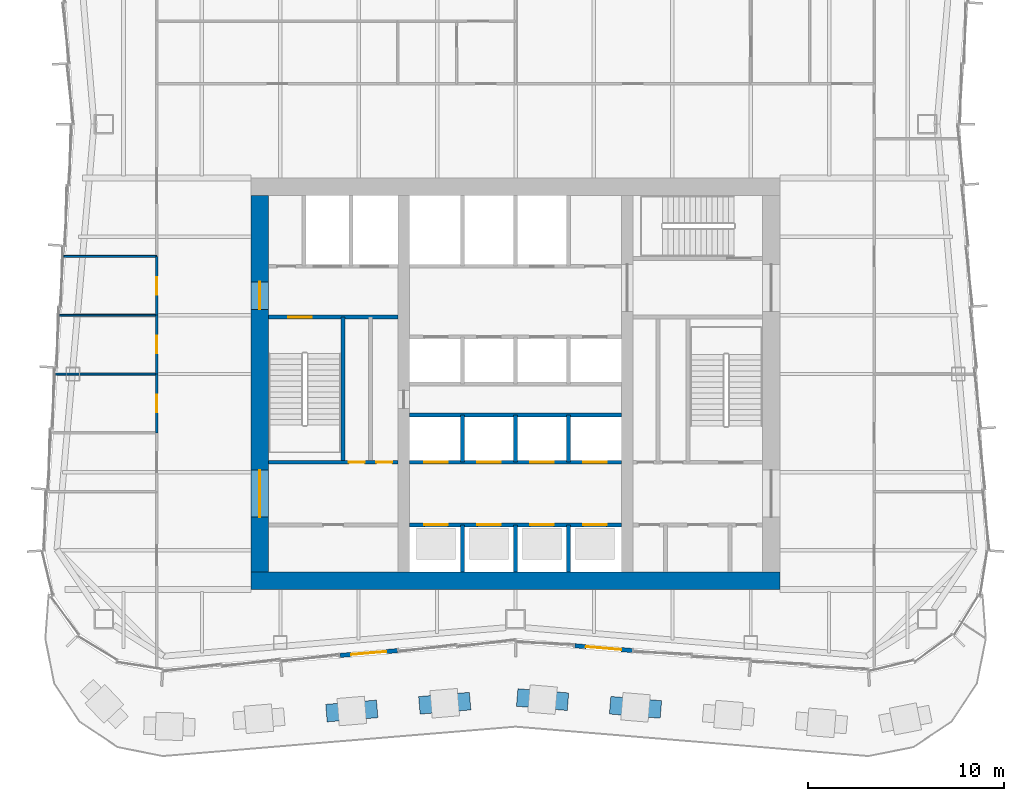
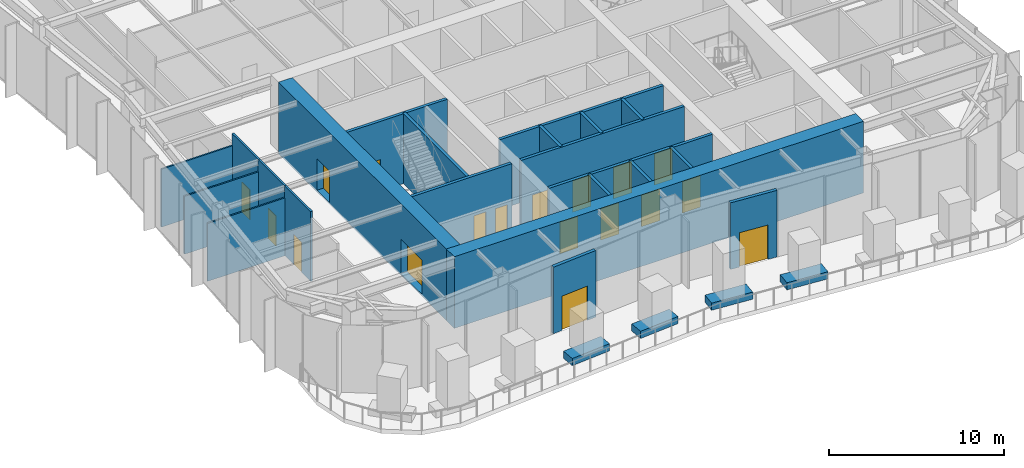
# One storey, part 9 of 16: 26 walls, 18 doors, 18 openings.
"""IFC4 building model written with IfcOpenShell, lengths in metres."""

from ifc_helpers import new_model, si_unit, direction, frame, frame_2d, origin, place, context, subcontext, project, spatial, rectangle, extrude, material, layer, layer_set, type_object, element, fill, save


model = new_model("IFC4")

# Units and contexts
model_context = context("Model", 3, precision=1e-05, world=origin(), true_north=direction((0.0, 1.0)))
body_context = subcontext(model_context, "Body", "Model", "MODEL_VIEW")
ifc_project = project(units=[si_unit("LENGTHUNIT", "METRE"), si_unit("AREAUNIT", "SQUARE_METRE"), si_unit("VOLUMEUNIT", "CUBIC_METRE"), si_unit("PLANEANGLEUNIT", "RADIAN"), si_unit("MASSUNIT", "GRAM", prefix="KILO")], contexts=[model_context])

# Site, building, storey
site_placement = place(None, origin())
site = spatial("IfcSite", under=ifc_project, at=site_placement, CompositionType="ELEMENT")
building_placement = place(site_placement, origin())
building = spatial("IfcBuilding", under=site, at=building_placement, Name="Verdant Reach Tower", CompositionType="ELEMENT")
storey_placement = place(building_placement, frame((0.0, 0.0, 177.0)))
storey = spatial("IfcBuildingStorey", under=building, at=storey_placement, Name="L40", CompositionType="ELEMENT", Elevation=177.0)

# Wall, openings, doors
ifc_material_1 = material(Name="Concrete C40/50", Category="concrete")
ifc_layer_1 = layer(ifc_material_1, 0.199951171875)
ifc_layer_set_1 = layer_set([ifc_layer_1], Name="CO-WALL-SHAFT")
wall_type_1 = type_object("IfcWallType", Name="CO-WALL-SHAFT", PredefinedType="PARTITIONING", material=ifc_layer_set_1)
wall_1_placement = place(storey_placement, frame((-5.39990234375, 20.800048828125, 0.0), z_axis=(0.0, 0.0, 1.0), x_axis=(1.0, 0.0, 0.0)))
wall_1 = element("IfcWall", 1, at=wall_1_placement, inside=storey, type_object=wall_type_1, Name="Lift shaft wall, L40", PredefinedType="PARTITIONING", context=body_context, shape_type="SweptSolid", body=[
    extrude(rectangle(XDim=10.7998046875, YDim=0.199951171875, at=frame_2d((5.39990234375, 0.0))), origin(), (0.0, 0.0, 1.0), 4.8701171875),
])
opening_1_placement = place(wall_1_placement, frame((0.75, 0.0, 0.0)))
opening_1 = element("IfcOpeningElement", 2, at=opening_1_placement, cuts=wall_1, Name="Opening LD-B1", PredefinedType="OPENING", context=body_context, shape_type="SweptSolid", body=[
    extrude(rectangle(XDim=1.199951171875, YDim=2.199951171875, at=frame_2d((0.60009765625, 1.10009765625))), frame((0.0, 0.10986328125, 0.0), z_axis=(0.0, -1.0, 0.0), x_axis=(1.0, 0.0, 0.0)), (0.0, 0.0, 1.0), 0.219970703125),
])
opening_2_placement = place(wall_1_placement, frame((3.449951171875, 0.0, 0.0)))
opening_2 = element("IfcOpeningElement", 3, at=opening_2_placement, cuts=wall_1, Name="Opening LD-B2", PredefinedType="OPENING", context=body_context, shape_type="SweptSolid", body=[
    extrude(rectangle(XDim=1.199951171875, YDim=2.199951171875, at=frame_2d((0.60009765625, 1.10009765625))), frame((0.0, 0.10986328125, 0.0), z_axis=(0.0, -1.0, 0.0), x_axis=(1.0, 0.0, 0.0)), (0.0, 0.0, 1.0), 0.219970703125),
])
opening_3_placement = place(wall_1_placement, frame((6.14990234375, 0.0, 0.0)))
opening_3 = element("IfcOpeningElement", 4, at=opening_3_placement, cuts=wall_1, Name="Opening LD-B3", PredefinedType="OPENING", context=body_context, shape_type="SweptSolid", body=[
    extrude(rectangle(XDim=1.199951171875, YDim=2.199951171875, at=frame_2d((0.60009765625, 1.10009765625))), frame((0.0, 0.10986328125, 0.0), z_axis=(0.0, -1.0, 0.0), x_axis=(1.0, 0.0, 0.0)), (0.0, 0.0, 1.0), 0.219970703125),
])
opening_4_placement = place(wall_1_placement, frame((8.85009765625, 0.0, 0.0)))
opening_4 = element("IfcOpeningElement", 5, at=opening_4_placement, cuts=wall_1, Name="Opening LD-B4", PredefinedType="OPENING", context=body_context, shape_type="SweptSolid", body=[
    extrude(rectangle(XDim=1.199951171875, YDim=2.199951171875, at=frame_2d((0.60009765625, 1.10009765625))), frame((0.0, 0.10986328125, 0.0), z_axis=(0.0, -1.0, 0.0), x_axis=(1.0, 0.0, 0.0)), (0.0, 0.0, 1.0), 0.219970703125),
])
ifc_material_2 = material(Name="Stainless steel", Category="steel")
door_type_1 = type_object("IfcDoorType", Name="CO-DOOR-LANDING", OperationType="SLIDING_TO_LEFT", PredefinedType="DOOR", material=ifc_material_2)
door_1_placement = place(opening_1_placement, origin())
door_1 = element("IfcDoor", 6, at=door_1_placement, inside=storey, type_object=door_type_1, Name="Landing door B1, L40", OperationType="SLIDING_TO_LEFT", OverallHeight=2.199951171875, OverallWidth=1.199951171875, PredefinedType="DOOR", context=body_context, shape_type="SweptSolid", body=[
    extrude(rectangle(XDim=1.199951171875, YDim=2.199951171875, at=frame_2d((0.60009765625, 1.10009765625))), frame((0.0, 0.02490234375, 0.0), z_axis=(0.0, -1.0, 0.0), x_axis=(1.0, 0.0, 0.0)), (0.0, 0.0, 1.0), 0.050048828125),
])
fill(opening_1, door_1)
door_2_placement = place(opening_2_placement, origin())
door_2 = element("IfcDoor", 7, at=door_2_placement, inside=storey, type_object=door_type_1, Name="Landing door B2, L40", OperationType="SLIDING_TO_LEFT", OverallHeight=2.199951171875, OverallWidth=1.199951171875, PredefinedType="DOOR", context=body_context, shape_type="SweptSolid", body=[
    extrude(rectangle(XDim=1.199951171875, YDim=2.199951171875, at=frame_2d((0.60009765625, 1.10009765625))), frame((0.0, 0.02490234375, 0.0), z_axis=(0.0, -1.0, 0.0), x_axis=(1.0, 0.0, 0.0)), (0.0, 0.0, 1.0), 0.050048828125),
])
fill(opening_2, door_2)
door_3_placement = place(opening_3_placement, origin())
door_3 = element("IfcDoor", 8, at=door_3_placement, inside=storey, type_object=door_type_1, Name="Landing door B3, L40", OperationType="SLIDING_TO_LEFT", OverallHeight=2.199951171875, OverallWidth=1.199951171875, PredefinedType="DOOR", context=body_context, shape_type="SweptSolid", body=[
    extrude(rectangle(XDim=1.199951171875, YDim=2.199951171875, at=frame_2d((0.60009765625, 1.10009765625))), frame((0.0, 0.02490234375, 0.0), z_axis=(0.0, -1.0, 0.0), x_axis=(1.0, 0.0, 0.0)), (0.0, 0.0, 1.0), 0.050048828125),
])
fill(opening_3, door_3)
door_4_placement = place(opening_4_placement, origin())
door_4 = element("IfcDoor", 9, at=door_4_placement, inside=storey, type_object=door_type_1, Name="Landing door B4, L40", OperationType="SLIDING_TO_LEFT", OverallHeight=2.199951171875, OverallWidth=1.199951171875, PredefinedType="DOOR", context=body_context, shape_type="SweptSolid", body=[
    extrude(rectangle(XDim=1.199951171875, YDim=2.199951171875, at=frame_2d((0.60009765625, 1.10009765625))), frame((0.0, 0.02490234375, 0.0), z_axis=(0.0, -1.0, 0.0), x_axis=(1.0, 0.0, 0.0)), (0.0, 0.0, 1.0), 0.050048828125),
])
fill(opening_4, door_4)

wall_2_placement = place(storey_placement, frame((-5.39990234375, 24.0, 0.0), z_axis=(0.0, 0.0, 1.0), x_axis=(1.0, 0.0, 0.0)))
wall_2 = element("IfcWall", 10, at=wall_2_placement, inside=storey, type_object=wall_type_1, Name="Lift shaft wall, L40", PredefinedType="PARTITIONING", context=body_context, shape_type="SweptSolid", body=[
    extrude(rectangle(XDim=10.7998046875, YDim=0.199951171875, at=frame_2d((5.39990234375, 0.0))), origin(), (0.0, 0.0, 1.0), 4.8701171875),
])
opening_5_placement = place(wall_2_placement, frame((0.75, 0.0, 0.0)))
opening_5 = element("IfcOpeningElement", 11, at=opening_5_placement, cuts=wall_2, Name="Opening LD-A5", PredefinedType="OPENING", context=body_context, shape_type="SweptSolid", body=[
    extrude(rectangle(XDim=1.199951171875, YDim=2.199951171875, at=frame_2d((0.60009765625, 1.10009765625))), frame((0.0, 0.10986328125, 0.0), z_axis=(0.0, -1.0, 0.0), x_axis=(1.0, 0.0, 0.0)), (0.0, 0.0, 1.0), 0.219970703125),
])
opening_6_placement = place(wall_2_placement, frame((3.449951171875, 0.0, 0.0)))
opening_6 = element("IfcOpeningElement", 12, at=opening_6_placement, cuts=wall_2, Name="Opening LD-A6", PredefinedType="OPENING", context=body_context, shape_type="SweptSolid", body=[
    extrude(rectangle(XDim=1.199951171875, YDim=2.199951171875, at=frame_2d((0.60009765625, 1.10009765625))), frame((0.0, 0.10986328125, 0.0), z_axis=(0.0, -1.0, 0.0), x_axis=(1.0, 0.0, 0.0)), (0.0, 0.0, 1.0), 0.219970703125),
])
opening_7_placement = place(wall_2_placement, frame((6.14990234375, 0.0, 0.0)))
opening_7 = element("IfcOpeningElement", 13, at=opening_7_placement, cuts=wall_2, Name="Opening LD-A7", PredefinedType="OPENING", context=body_context, shape_type="SweptSolid", body=[
    extrude(rectangle(XDim=1.199951171875, YDim=2.199951171875, at=frame_2d((0.60009765625, 1.10009765625))), frame((0.0, 0.10986328125, 0.0), z_axis=(0.0, -1.0, 0.0), x_axis=(1.0, 0.0, 0.0)), (0.0, 0.0, 1.0), 0.219970703125),
])
opening_8_placement = place(wall_2_placement, frame((8.85009765625, 0.0, 0.0)))
opening_8 = element("IfcOpeningElement", 14, at=opening_8_placement, cuts=wall_2, Name="Opening LD-A8", PredefinedType="OPENING", context=body_context, shape_type="SweptSolid", body=[
    extrude(rectangle(XDim=1.199951171875, YDim=2.199951171875, at=frame_2d((0.60009765625, 1.10009765625))), frame((0.0, 0.10986328125, 0.0), z_axis=(0.0, -1.0, 0.0), x_axis=(1.0, 0.0, 0.0)), (0.0, 0.0, 1.0), 0.219970703125),
])
door_5_placement = place(opening_5_placement, origin())
door_5 = element("IfcDoor", 15, at=door_5_placement, inside=storey, type_object=door_type_1, Name="Landing door A5, L40", OperationType="SLIDING_TO_LEFT", OverallHeight=2.199951171875, OverallWidth=1.199951171875, PredefinedType="DOOR", context=body_context, shape_type="SweptSolid", body=[
    extrude(rectangle(XDim=1.199951171875, YDim=2.199951171875, at=frame_2d((0.60009765625, 1.10009765625))), frame((0.0, 0.02490234375, 0.0), z_axis=(0.0, -1.0, 0.0), x_axis=(1.0, 0.0, 0.0)), (0.0, 0.0, 1.0), 0.050048828125),
])
fill(opening_5, door_5)
door_6_placement = place(opening_6_placement, origin())
door_6 = element("IfcDoor", 16, at=door_6_placement, inside=storey, type_object=door_type_1, Name="Landing door A6, L40", OperationType="SLIDING_TO_LEFT", OverallHeight=2.199951171875, OverallWidth=1.199951171875, PredefinedType="DOOR", context=body_context, shape_type="SweptSolid", body=[
    extrude(rectangle(XDim=1.199951171875, YDim=2.199951171875, at=frame_2d((0.60009765625, 1.10009765625))), frame((0.0, 0.02490234375, 0.0), z_axis=(0.0, -1.0, 0.0), x_axis=(1.0, 0.0, 0.0)), (0.0, 0.0, 1.0), 0.050048828125),
])
fill(opening_6, door_6)
door_7_placement = place(opening_7_placement, origin())
door_7 = element("IfcDoor", 17, at=door_7_placement, inside=storey, type_object=door_type_1, Name="Landing door A7, L40", OperationType="SLIDING_TO_LEFT", OverallHeight=2.199951171875, OverallWidth=1.199951171875, PredefinedType="DOOR", context=body_context, shape_type="SweptSolid", body=[
    extrude(rectangle(XDim=1.199951171875, YDim=2.199951171875, at=frame_2d((0.60009765625, 1.10009765625))), frame((0.0, 0.02490234375, 0.0), z_axis=(0.0, -1.0, 0.0), x_axis=(1.0, 0.0, 0.0)), (0.0, 0.0, 1.0), 0.050048828125),
])
fill(opening_7, door_7)
door_8_placement = place(opening_8_placement, origin())
door_8 = element("IfcDoor", 18, at=door_8_placement, inside=storey, type_object=door_type_1, Name="Landing door A8, L40", OperationType="SLIDING_TO_LEFT", OverallHeight=2.199951171875, OverallWidth=1.199951171875, PredefinedType="DOOR", context=body_context, shape_type="SweptSolid", body=[
    extrude(rectangle(XDim=1.199951171875, YDim=2.199951171875, at=frame_2d((0.60009765625, 1.10009765625))), frame((0.0, 0.02490234375, 0.0), z_axis=(0.0, -1.0, 0.0), x_axis=(1.0, 0.0, 0.0)), (0.0, 0.0, 1.0), 0.050048828125),
])
fill(opening_8, door_8)

# Walls
wall_3_placement = place(storey_placement, frame((-5.39990234375, 26.39990234375, 0.0), z_axis=(0.0, 0.0, 1.0), x_axis=(1.0, 0.0, 0.0)))
element("IfcWall", 19, at=wall_3_placement, inside=storey, type_object=wall_type_1, Name="Lift shaft wall, L40", PredefinedType="PARTITIONING", context=body_context, shape_type="SweptSolid", body=[
    extrude(rectangle(XDim=10.7998046875, YDim=0.199951171875, at=frame_2d((5.39990234375, 0.0))), origin(), (0.0, 0.0, 1.0), 4.8701171875),
])
wall_4_placement = place(storey_placement, frame((-2.699951171875, 18.39990234375, 0.0), z_axis=(0.0, 0.0, 1.0), x_axis=(0.0, 1.0, 0.0)))
element("IfcWall", 20, at=wall_4_placement, inside=storey, type_object=wall_type_1, Name="Lift shaft wall, L40", PredefinedType="PARTITIONING", context=body_context, shape_type="SweptSolid", body=[
    extrude(rectangle(XDim=2.400146484375, YDim=0.199951171875, at=frame_2d((1.2001953125, 0.0))), origin(), (0.0, 0.0, 1.0), 4.8701171875),
])
wall_5_placement = place(storey_placement, frame((-2.699951171875, 24.0, 0.0), z_axis=(0.0, 0.0, 1.0), x_axis=(0.0, 1.0, 0.0)))
element("IfcWall", 21, at=wall_5_placement, inside=storey, type_object=wall_type_1, Name="Lift shaft wall, L40", PredefinedType="PARTITIONING", context=body_context, shape_type="SweptSolid", body=[
    extrude(rectangle(XDim=2.39990234375, YDim=0.199951171875, at=frame_2d((1.199951171875, 0.0))), origin(), (0.0, 0.0, 1.0), 4.8701171875),
])
wall_6_placement = place(storey_placement, frame((0.0, 18.39990234375, 0.0), z_axis=(0.0, 0.0, 1.0), x_axis=(0.0, 1.0, 0.0)))
element("IfcWall", 22, at=wall_6_placement, inside=storey, type_object=wall_type_1, Name="Lift shaft wall, L40", PredefinedType="PARTITIONING", context=body_context, shape_type="SweptSolid", body=[
    extrude(rectangle(XDim=2.400146484375, YDim=0.199951171875, at=frame_2d((1.2001953125, 0.0))), origin(), (0.0, 0.0, 1.0), 4.8701171875),
])
wall_7_placement = place(storey_placement, frame((0.0, 24.0, 0.0), z_axis=(0.0, 0.0, 1.0), x_axis=(0.0, 1.0, 0.0)))
element("IfcWall", 23, at=wall_7_placement, inside=storey, type_object=wall_type_1, Name="Lift shaft wall, L40", PredefinedType="PARTITIONING", context=body_context, shape_type="SweptSolid", body=[
    extrude(rectangle(XDim=2.39990234375, YDim=0.199951171875, at=frame_2d((1.199951171875, 0.0))), origin(), (0.0, 0.0, 1.0), 4.8701171875),
])
wall_8_placement = place(storey_placement, frame((2.699951171875, 18.39990234375, 0.0), z_axis=(0.0, 0.0, 1.0), x_axis=(0.0, 1.0, 0.0)))
element("IfcWall", 24, at=wall_8_placement, inside=storey, type_object=wall_type_1, Name="Lift shaft wall, L40", PredefinedType="PARTITIONING", context=body_context, shape_type="SweptSolid", body=[
    extrude(rectangle(XDim=2.400146484375, YDim=0.199951171875, at=frame_2d((1.2001953125, 0.0))), origin(), (0.0, 0.0, 1.0), 4.8701171875),
])
wall_9_placement = place(storey_placement, frame((2.699951171875, 24.0, 0.0), z_axis=(0.0, 0.0, 1.0), x_axis=(0.0, 1.0, 0.0)))
element("IfcWall", 25, at=wall_9_placement, inside=storey, type_object=wall_type_1, Name="Lift shaft wall, L40", PredefinedType="PARTITIONING", context=body_context, shape_type="SweptSolid", body=[
    extrude(rectangle(XDim=2.39990234375, YDim=0.199951171875, at=frame_2d((1.199951171875, 0.0))), origin(), (0.0, 0.0, 1.0), 4.8701171875),
])

# Wall, openings, doors
ifc_layer_2 = layer(ifc_material_1, 0.199951171875)
ifc_layer_set_2 = layer_set([ifc_layer_2], Name="CO-WALL-STAIR")
wall_type_2 = type_object("IfcWallType", Name="CO-WALL-STAIR", PredefinedType="PARTITIONING", material=ifc_layer_set_2)
wall_10_placement = place(storey_placement, frame((-12.60009765625, 24.0, 0.0), z_axis=(0.0, 0.0, 1.0), x_axis=(1.0, 0.0, 0.0)))
wall_10 = element("IfcWall", 26, at=wall_10_placement, inside=storey, type_object=wall_type_2, Name="Stair enclosure wall, L40", PredefinedType="PARTITIONING", context=body_context, shape_type="SweptSolid", body=[
    extrude(rectangle(XDim=6.60009765625, YDim=0.199951171875, at=frame_2d((3.300048828125, 0.0))), origin(), (0.0, 0.0, 1.0), 4.8701171875),
])
opening_9_placement = place(wall_10_placement, frame((4.10009765625, 0.0, 0.0)))
opening_9 = element("IfcOpeningElement", 27, at=opening_9_placement, cuts=wall_10, Name="Opening CDN", PredefinedType="OPENING", context=body_context, shape_type="SweptSolid", body=[
    extrude(rectangle(XDim=0.800048828125, YDim=2.10009765625, at=frame_2d((0.39990234375, 1.050048828125))), frame((0.0, 0.10986328125, 0.0), z_axis=(0.0, -1.0, 0.0), x_axis=(1.0, 0.0, 0.0)), (0.0, 0.0, 1.0), 0.219970703125),
])
opening_10_placement = place(wall_10_placement, frame((5.5, 0.0, 0.0)))
opening_10 = element("IfcOpeningElement", 28, at=opening_10_placement, cuts=wall_10, Name="Opening CDN", PredefinedType="OPENING", context=body_context, shape_type="SweptSolid", body=[
    extrude(rectangle(XDim=0.800048828125, YDim=2.10009765625, at=frame_2d((0.39990234375, 1.050048828125))), frame((0.0, 0.10986328125, 0.0), z_axis=(0.0, -1.0, 0.0), x_axis=(1.0, 0.0, 0.0)), (0.0, 0.0, 1.0), 0.219970703125),
])
ifc_material_3 = material(Name="Timber", Category="wood")
door_type_2 = type_object("IfcDoorType", Name="CO-DOOR-ROOM-NARROW", OperationType="NOTDEFINED", PredefinedType="DOOR", material=ifc_material_3)
door_9_placement = place(opening_9_placement, origin())
door_9 = element("IfcDoor", 29, at=door_9_placement, inside=storey, type_object=door_type_2, Name="Core room door, L40", OperationType="SINGLE_SWING_LEFT", OverallHeight=2.10009765625, OverallWidth=0.800048828125, PredefinedType="DOOR", context=body_context, shape_type="SweptSolid", body=[
    extrude(rectangle(XDim=0.800048828125, YDim=2.10009765625, at=frame_2d((0.39990234375, 1.050048828125))), frame((0.0, 0.02490234375, 0.0), z_axis=(0.0, -1.0, 0.0), x_axis=(1.0, 0.0, 0.0)), (0.0, 0.0, 1.0), 0.050048828125),
])
fill(opening_9, door_9)
door_10_placement = place(opening_10_placement, origin())
door_10 = element("IfcDoor", 30, at=door_10_placement, inside=storey, type_object=door_type_2, Name="Core room door, L40", OperationType="SINGLE_SWING_RIGHT", OverallHeight=2.10009765625, OverallWidth=0.800048828125, PredefinedType="DOOR", context=body_context, shape_type="SweptSolid", body=[
    extrude(rectangle(XDim=0.800048828125, YDim=2.10009765625, at=frame_2d((0.39990234375, 1.050048828125))), frame((0.0, 0.02490234375, 0.0), z_axis=(0.0, -1.0, 0.0), x_axis=(1.0, 0.0, 0.0)), (0.0, 0.0, 1.0), 0.050048828125),
])
fill(opening_10, door_10)

# Wall, opening, door
wall_11_placement = place(storey_placement, frame((-12.60009765625, 31.39990234375, 0.0), z_axis=(0.0, 0.0, 1.0), x_axis=(1.0, 0.0, 0.0)))
wall_11 = element("IfcWall", 31, at=wall_11_placement, inside=storey, type_object=wall_type_2, Name="Stair enclosure wall, L40", PredefinedType="PARTITIONING", context=body_context, shape_type="SweptSolid", body=[
    extrude(rectangle(XDim=6.60009765625, YDim=0.199951171875, at=frame_2d((3.300048828125, 0.0))), origin(), (0.0, 0.0, 1.0), 4.8701171875),
])
opening_11_placement = place(wall_11_placement, frame((1.0, 0.0, 0.0)))
opening_11 = element("IfcOpeningElement", 32, at=opening_11_placement, cuts=wall_11, Name="Opening SD", PredefinedType="OPENING", context=body_context, shape_type="SweptSolid", body=[
    extrude(rectangle(XDim=1.199951171875, YDim=2.199951171875, at=frame_2d((0.60009765625, 1.10009765625))), frame((0.0, 0.10986328125, 0.0), z_axis=(0.0, -1.0, 0.0), x_axis=(1.0, 0.0, 0.0)), (0.0, 0.0, 1.0), 0.219970703125),
])
ifc_material_4 = material(Name="Steel", Category="steel")
door_type_3 = type_object("IfcDoorType", Name="CO-DOOR-STAIR", OperationType="NOTDEFINED", PredefinedType="DOOR", material=ifc_material_4)
door_11_placement = place(opening_11_placement, origin())
door_11 = element("IfcDoor", 33, at=door_11_placement, inside=storey, type_object=door_type_3, Name="Stair door, L40", OperationType="SINGLE_SWING_RIGHT", OverallHeight=2.199951171875, OverallWidth=1.199951171875, PredefinedType="DOOR", context=body_context, shape_type="SweptSolid", body=[
    extrude(rectangle(XDim=1.199951171875, YDim=2.199951171875, at=frame_2d((0.60009765625, 1.10009765625))), frame((0.0, 0.02490234375, 0.0), z_axis=(0.0, -1.0, 0.0), x_axis=(1.0, 0.0, 0.0)), (0.0, 0.0, 1.0), 0.050048828125),
])
fill(opening_11, door_11)

# Wall
wall_12_placement = place(storey_placement, frame((-8.800048828125, 24.0, 0.0), z_axis=(0.0, 0.0, 1.0), x_axis=(0.0, 1.0, 0.0)))
element("IfcWall", 34, at=wall_12_placement, inside=storey, type_object=wall_type_2, Name="Stair enclosure wall, L40", PredefinedType="PARTITIONING", context=body_context, shape_type="SweptSolid", body=[
    extrude(rectangle(XDim=7.39990234375, YDim=0.199951171875, at=frame_2d((3.699951171875, 0.0))), origin(), (0.0, 0.0, 1.0), 4.8701171875),
])

# Wall, opening, door
ifc_material_5 = material(Name="Insulated bronze aluminium panel wall", Category="aluminium")
ifc_layer_3 = layer(ifc_material_5, 0.219970703125)
ifc_layer_set_3 = layer_set([ifc_layer_3], Name="EN-INFILL WALL")
wall_type_3 = type_object("IfcWallType", Name="EN-INFILL WALL", PredefinedType="SOLIDWALL", material=ifc_layer_set_3)
wall_13_placement = place(storey_placement, frame((-8.9580078125, 14.14404296875, 0.0), z_axis=(0.0, 0.0, 1.0), x_axis=(0.996542326188, 0.083086654255, 0.0)))
wall_13 = element("IfcWall", 35, at=wall_13_placement, inside=storey, type_object=wall_type_3, Name="External infill wall, terrace bay 1, L40", PredefinedType="SOLIDWALL", context=body_context, shape_type="SweptSolid", body=[
    extrude(rectangle(XDim=2.9443359375, YDim=0.218017578125, at=frame_2d((1.47216796875, 0.0))), origin(), (0.0, 0.0, 1.0), 4.64990234375),
])
opening_12_placement = place(wall_13_placement, frame((0.572265625, 0.0, 0.0)))
opening_12 = element("IfcOpeningElement", 36, at=opening_12_placement, cuts=wall_13, Name="Opening TD1-DR", PredefinedType="OPENING", context=body_context, shape_type="SweptSolid", body=[
    extrude(rectangle(XDim=1.800048828125, YDim=2.39990234375, at=frame_2d((0.89990234375, 1.199951171875))), frame((0.0, 0.118896484375, 0.0), z_axis=(0.0, -1.0, 0.0), x_axis=(1.0, 0.0, 0.0)), (0.0, 0.0, 1.0), 0.238037109375),
])
ifc_material_6 = material(Name="Aluminium framed glazed door", Category="aluminium")
door_type_4 = type_object("IfcDoorType", Name="EN-DOOR TERRACE", OperationType="DOUBLE_DOOR_SINGLE_SWING", PredefinedType="DOOR", material=ifc_material_6)
door_12_placement = place(opening_12_placement, origin())
door_12 = element("IfcDoor", 37, at=door_12_placement, inside=storey, type_object=door_type_4, Name="Terrace door 1, L40", OperationType="DOUBLE_DOOR_SINGLE_SWING", OverallHeight=2.39990234375, OverallWidth=1.800048828125, PredefinedType="DOOR", context=body_context, shape_type="SweptSolid", body=[
    extrude(rectangle(XDim=1.800048828125, YDim=2.39990234375, at=frame_2d((0.89990234375, 1.199951171875))), frame((0.0, 0.02490234375, 0.0), z_axis=(0.0, -1.0, 0.0), x_axis=(1.0, 0.0, 0.0)), (0.0, 0.0, 1.0), 0.050048828125),
])
fill(opening_12, door_12)

wall_14_placement = place(storey_placement, frame((3.02392578125, 14.638671875, 0.0), z_axis=(0.0, 0.0, 1.0), x_axis=(0.996542326188, -0.083086654255, 0.0)))
wall_14 = element("IfcWall", 38, at=wall_14_placement, inside=storey, type_object=wall_type_3, Name="External infill wall, terrace bay 2, L40", PredefinedType="SOLIDWALL", context=body_context, shape_type="SweptSolid", body=[
    extrude(rectangle(XDim=2.9443359375, YDim=0.218017578125, at=frame_2d((1.47216796875, 0.0))), origin(), (0.0, 0.0, 1.0), 4.64990234375),
])
opening_13_placement = place(wall_14_placement, frame((0.572265625, 0.0, 0.0)))
opening_13 = element("IfcOpeningElement", 39, at=opening_13_placement, cuts=wall_14, Name="Opening TD1-DR", PredefinedType="OPENING", context=body_context, shape_type="SweptSolid", body=[
    extrude(rectangle(XDim=1.800048828125, YDim=2.39990234375, at=frame_2d((0.89990234375, 1.199951171875))), frame((0.0, 0.118896484375, 0.0), z_axis=(0.0, -1.0, 0.0), x_axis=(1.0, 0.0, 0.0)), (0.0, 0.0, 1.0), 0.238037109375),
])
door_13_placement = place(opening_13_placement, origin())
door_13 = element("IfcDoor", 40, at=door_13_placement, inside=storey, type_object=door_type_4, Name="Terrace door 2, L40", OperationType="DOUBLE_DOOR_SINGLE_SWING", OverallHeight=2.39990234375, OverallWidth=1.800048828125, PredefinedType="DOOR", context=body_context, shape_type="SweptSolid", body=[
    extrude(rectangle(XDim=1.800048828125, YDim=2.39990234375, at=frame_2d((0.89990234375, 1.199951171875))), frame((0.0, 0.02490234375, 0.0), z_axis=(0.0, -1.0, 0.0), x_axis=(1.0, 0.0, 0.0)), (0.0, 0.0, 1.0), 0.050048828125),
])
fill(opening_13, door_13)

# Walls
ifc_material_7 = material(Name="Precast concrete C30/37", Category="concrete")
ifc_layer_4 = layer(ifc_material_7, 0.89990234375)
ifc_layer_set_4 = layer_set([ifc_layer_4], Name="EN-PLANTER TERRACE")
wall_type_4 = type_object("IfcWallType", Name="EN-PLANTER TERRACE", PredefinedType="USERDEFINED", material=ifc_layer_set_4)
for number, where, z_axis, x_axis, name in (
    (41, (7.416259765625, 11.38720703125, 0.0), (0.0, 0.0, 1.0), (-0.99654899538, 0.083006625075, 0.0), "Terrace planter 4, L40"),
    (42, (2.675048828125, 11.7822265625, 0.0), (0.0, 0.0, 1.0), (-0.996541223745, 0.083099875908, 0.0), "Terrace planter 5, L40"),
    (43, (-2.3154296875, 11.812255859375, 0.0), (0.0, 0.0, 1.0), (-0.99654899538, -0.083006625075, 0.0), "Terrace planter 6, L40"),
    (44, (-7.056640625, 11.417236328125, 0.0), (0.0, 0.0, 1.0), (-0.996541223745, -0.083099875908, 0.0), "Terrace planter 7, L40"),
):
    element("IfcWall", number, at=place(storey_placement, frame(where, z_axis=z_axis, x_axis=x_axis)), inside=storey, type_object=wall_type_4, Name=name, ObjectType="PLANTER", PredefinedType="USERDEFINED", context=body_context, shape_type="SweptSolid", body=[
        extrude(rectangle(XDim=2.60009765625, YDim=0.89990234375, at=frame_2d((1.300048828125, 0.0))), origin(), (0.0, 0.0, 1.0), 0.5),
    ])
ifc_material_8 = material(Name="Gypsum board on steel studs", Category="steel")
ifc_layer_5 = layer(ifc_material_8, 0.10009765625)
ifc_layer_set_5 = layer_set([ifc_layer_5], Name="FL-W1 Partition 100")
wall_type_5 = type_object("IfcWallType", Name="FL-W1 Partition 100", PredefinedType="PARTITIONING", material=ifc_layer_set_5)
wall_15_placement = place(storey_placement, frame((-18.300048828125, 28.5, 0.0), z_axis=(0.0, 0.0, 1.0), x_axis=(-1.0, 0.0, 0.0)))
element("IfcWall", 45, at=wall_15_placement, inside=storey, type_object=wall_type_5, Name="Partition 40.46", PredefinedType="PARTITIONING", context=body_context, shape_type="SweptSolid", body=[
    extrude(rectangle(XDim=5.1591796875, YDim=0.10009765625, at=frame_2d((2.57958984375, 0.0))), origin(), (0.0, 0.0, 1.0), 4.0400390625),
])
wall_16_placement = place(storey_placement, frame((-18.300048828125, 31.5, 0.0), z_axis=(0.0, 0.0, 1.0), x_axis=(-1.0, 0.0, 0.0)))
element("IfcWall", 46, at=wall_16_placement, inside=storey, type_object=wall_type_5, Name="Partition 40.47", PredefinedType="PARTITIONING", context=body_context, shape_type="SweptSolid", body=[
    extrude(rectangle(XDim=4.952392578125, YDim=0.10009765625, at=frame_2d((2.47607421875, 0.0))), origin(), (0.0, 0.0, 1.0), 4.0400390625),
])
wall_17_placement = place(storey_placement, frame((-18.300048828125, 34.5, 0.0), z_axis=(0.0, 0.0, 1.0), x_axis=(-1.0, 0.0, 0.0)))
element("IfcWall", 47, at=wall_17_placement, inside=storey, type_object=wall_type_5, Name="Partition 40.48", PredefinedType="PARTITIONING", context=body_context, shape_type="SweptSolid", body=[
    extrude(rectangle(XDim=4.745361328125, YDim=0.10009765625, at=frame_2d((2.37255859375, 0.0))), origin(), (0.0, 0.0, 1.0), 4.0400390625),
])

# Wall, opening, door
ifc_material_9 = material(Name="Gypsum board on steel studs, fire rated", Category="steel")
ifc_layer_6 = layer(ifc_material_9, 0.125)
ifc_layer_set_6 = layer_set([ifc_layer_6], Name="FL-W2 Corridor wall 125")
wall_type_6 = type_object("IfcWallType", Name="FL-W2 Corridor wall 125", PredefinedType="PARTITIONING", material=ifc_layer_set_6)
wall_18_placement = place(storey_placement, frame((-18.300048828125, 25.5, 0.0), z_axis=(0.0, 0.0, 1.0), x_axis=(0.0, 1.0, 0.0)))
wall_18 = element("IfcWall", 48, at=wall_18_placement, inside=storey, type_object=wall_type_6, Name="Partition 40.09", PredefinedType="PARTITIONING", context=body_context, shape_type="SweptSolid", body=[
    extrude(rectangle(XDim=3.0, YDim=0.125, at=frame_2d((1.5, 0.0))), origin(), (0.0, 0.0, 1.0), 4.8701171875),
])
opening_14_placement = place(wall_18_placement, frame((1.050048828125, 0.0, 0.0)))
opening_14 = element("IfcOpeningElement", 49, at=opening_14_placement, cuts=wall_18, Name="Opening D1", PredefinedType="OPENING", context=body_context, shape_type="SweptSolid", body=[
    extrude(rectangle(XDim=0.89990234375, YDim=2.10009765625, at=frame_2d((0.449951171875, 1.050048828125))), frame((0.0, 0.072509765625, 0.0), z_axis=(0.0, -1.0, 0.0), x_axis=(1.0, 0.0, 0.0)), (0.0, 0.0, 1.0), 0.14501953125),
])
ifc_material_10 = material(Name="Painted timber door leaf", Category="wood")
door_type_5 = type_object("IfcDoorType", Name="FL-D1 Door 900x2100", OperationType="NOTDEFINED", PredefinedType="DOOR", material=ifc_material_10)
door_14_placement = place(opening_14_placement, origin())
door_14 = element("IfcDoor", 50, at=door_14_placement, inside=storey, type_object=door_type_5, Name="Door 40-007", OperationType="SINGLE_SWING_LEFT", OverallHeight=2.10009765625, OverallWidth=0.89990234375, PredefinedType="DOOR", context=body_context, shape_type="SweptSolid", body=[
    extrude(rectangle(XDim=0.89990234375, YDim=2.10009765625, at=frame_2d((0.449951171875, 1.050048828125))), frame((0.0, 0.02490234375, 0.0), z_axis=(0.0, -1.0, 0.0), x_axis=(1.0, 0.0, 0.0)), (0.0, 0.0, 1.0), 0.050048828125),
])
fill(opening_14, door_14)

wall_19_placement = place(storey_placement, frame((-18.300048828125, 28.5, 0.0), z_axis=(0.0, 0.0, 1.0), x_axis=(0.0, 1.0, 0.0)))
wall_19 = element("IfcWall", 51, at=wall_19_placement, inside=storey, type_object=wall_type_6, Name="Partition 40.10", PredefinedType="PARTITIONING", context=body_context, shape_type="SweptSolid", body=[
    extrude(rectangle(XDim=3.0, YDim=0.125, at=frame_2d((1.5, 0.0))), origin(), (0.0, 0.0, 1.0), 4.8701171875),
])
opening_15_placement = place(wall_19_placement, frame((1.050048828125, 0.0, 0.0)))
opening_15 = element("IfcOpeningElement", 52, at=opening_15_placement, cuts=wall_19, Name="Opening D1", PredefinedType="OPENING", context=body_context, shape_type="SweptSolid", body=[
    extrude(rectangle(XDim=0.89990234375, YDim=2.10009765625, at=frame_2d((0.449951171875, 1.050048828125))), frame((0.0, 0.072509765625, 0.0), z_axis=(0.0, -1.0, 0.0), x_axis=(1.0, 0.0, 0.0)), (0.0, 0.0, 1.0), 0.14501953125),
])
door_15_placement = place(opening_15_placement, origin())
door_15 = element("IfcDoor", 53, at=door_15_placement, inside=storey, type_object=door_type_5, Name="Door 40-008", OperationType="SINGLE_SWING_RIGHT", OverallHeight=2.10009765625, OverallWidth=0.89990234375, PredefinedType="DOOR", context=body_context, shape_type="SweptSolid", body=[
    extrude(rectangle(XDim=0.89990234375, YDim=2.10009765625, at=frame_2d((0.449951171875, 1.050048828125))), frame((0.0, 0.02490234375, 0.0), z_axis=(0.0, -1.0, 0.0), x_axis=(1.0, 0.0, 0.0)), (0.0, 0.0, 1.0), 0.050048828125),
])
fill(opening_15, door_15)

wall_20_placement = place(storey_placement, frame((-18.300048828125, 31.5, 0.0), z_axis=(0.0, 0.0, 1.0), x_axis=(0.0, 1.0, 0.0)))
wall_20 = element("IfcWall", 54, at=wall_20_placement, inside=storey, type_object=wall_type_6, Name="Partition 40.11", PredefinedType="PARTITIONING", context=body_context, shape_type="SweptSolid", body=[
    extrude(rectangle(XDim=3.0, YDim=0.125, at=frame_2d((1.5, 0.0))), origin(), (0.0, 0.0, 1.0), 4.8701171875),
])
opening_16_placement = place(wall_20_placement, frame((1.050048828125, 0.0, 0.0)))
opening_16 = element("IfcOpeningElement", 55, at=opening_16_placement, cuts=wall_20, Name="Opening D1", PredefinedType="OPENING", context=body_context, shape_type="SweptSolid", body=[
    extrude(rectangle(XDim=0.89990234375, YDim=2.10009765625, at=frame_2d((0.449951171875, 1.050048828125))), frame((0.0, 0.072509765625, 0.0), z_axis=(0.0, -1.0, 0.0), x_axis=(1.0, 0.0, 0.0)), (0.0, 0.0, 1.0), 0.14501953125),
])
door_16_placement = place(opening_16_placement, origin())
door_16 = element("IfcDoor", 56, at=door_16_placement, inside=storey, type_object=door_type_5, Name="Door 40-009", OperationType="SINGLE_SWING_LEFT", OverallHeight=2.10009765625, OverallWidth=0.89990234375, PredefinedType="DOOR", context=body_context, shape_type="SweptSolid", body=[
    extrude(rectangle(XDim=0.89990234375, YDim=2.10009765625, at=frame_2d((0.449951171875, 1.050048828125))), frame((0.0, 0.02490234375, 0.0), z_axis=(0.0, -1.0, 0.0), x_axis=(1.0, 0.0, 0.0)), (0.0, 0.0, 1.0), 0.050048828125),
])
fill(opening_16, door_16)

# Wall
ifc_material_11 = material(Name="Concrete C70/85", Category="concrete")
ifc_layer_7 = layer(ifc_material_11, 0.89990234375)
ifc_layer_set_7 = layer_set([ifc_layer_7], Name="ST-CORE-WALL-900")
wall_type_7 = type_object("IfcWallType", Name="ST-CORE-WALL-900", PredefinedType="SHEAR", material=ifc_layer_set_7)
wall_21_placement = place(storey_placement, frame((-13.5, 17.949951171875, -0.1298828125), z_axis=(0.0, 0.0, 1.0), x_axis=(1.0, 0.0, 0.0)))
element("IfcWall", 57, at=wall_21_placement, inside=storey, type_object=wall_type_7, Name="Core wall S, L40", PredefinedType="SHEAR", context=body_context, shape_type="SweptSolid", body=[
    extrude(rectangle(XDim=27.0, YDim=0.89990234375, at=frame_2d((13.5, 0.0))), origin(), (0.0, 0.0, 1.0), 5.0),
])

# Wall, openings, doors
wall_22_placement = place(storey_placement, frame((-13.050048828125, 18.39990234375, -0.1298828125), z_axis=(0.0, 0.0, 1.0), x_axis=(0.0, 1.0, 0.0)))
wall_22 = element("IfcWall", 58, at=wall_22_placement, inside=storey, type_object=wall_type_7, Name="Core wall W, L40", PredefinedType="SHEAR", context=body_context, shape_type="SweptSolid", body=[
    extrude(rectangle(XDim=19.2001953125, YDim=0.89990234375, at=frame_2d((9.60009765625, 0.0))), origin(), (0.0, 0.0, 1.0), 5.0),
])
opening_17_placement = place(wall_22_placement, frame((2.800048828125, 0.0, 0.1298828125)))
opening_17 = element("IfcOpeningElement", 59, at=opening_17_placement, cuts=wall_22, Name="Opening LB", PredefinedType="OPENING", context=body_context, shape_type="SweptSolid", body=[
    extrude(rectangle(XDim=2.39990234375, YDim=2.39990234375, at=frame_2d((1.199951171875, 1.199951171875))), frame((0.0, 0.4599609375, 0.0), z_axis=(0.0, -1.0, 0.0), x_axis=(1.0, 0.0, 0.0)), (0.0, 0.0, 1.0), 0.919921875),
])
opening_18_placement = place(wall_22_placement, frame((13.39990234375, 0.0, 0.1298828125)))
opening_18 = element("IfcOpeningElement", 60, at=opening_18_placement, cuts=wall_22, Name="Opening FL", PredefinedType="OPENING", context=body_context, shape_type="SweptSolid", body=[
    extrude(rectangle(XDim=1.39990234375, YDim=2.199951171875, at=frame_2d((0.699951171875, 1.10009765625))), frame((0.0, 0.4599609375, 0.0), z_axis=(0.0, -1.0, 0.0), x_axis=(1.0, 0.0, 0.0)), (0.0, 0.0, 1.0), 0.919921875),
])
door_type_6 = type_object("IfcDoorType", Name="CO-DOOR-FFL", OperationType="NOTDEFINED", PredefinedType="DOOR", material=ifc_material_4)
door_17_placement = place(opening_18_placement, origin())
door_17 = element("IfcDoor", 61, at=door_17_placement, inside=storey, type_object=door_type_6, Name="Core entrance door, L40", OperationType="SINGLE_SWING_RIGHT", OverallHeight=2.199951171875, OverallWidth=1.39990234375, PredefinedType="DOOR", context=body_context, shape_type="SweptSolid", body=[
    extrude(rectangle(XDim=1.39990234375, YDim=2.199951171875, at=frame_2d((0.699951171875, 1.10009765625))), frame((0.0, 0.02490234375, 0.0), z_axis=(0.0, -1.0, 0.0), x_axis=(1.0, 0.0, 0.0)), (0.0, 0.0, 1.0), 0.050048828125),
])
fill(opening_18, door_17)
ifc_material_12 = material(Name="Glass and steel", Category="steel")
door_type_7 = type_object("IfcDoorType", Name="CO-DOOR-LOBBY", OperationType="DOUBLE_DOOR_SINGLE_SWING", PredefinedType="DOOR", material=ifc_material_12)
door_18_placement = place(opening_17_placement, origin())
door_18 = element("IfcDoor", 62, at=door_18_placement, inside=storey, type_object=door_type_7, Name="Core entrance door, L40", OperationType="DOUBLE_DOOR_SINGLE_SWING", OverallHeight=2.39990234375, OverallWidth=2.39990234375, PredefinedType="DOOR", context=body_context, shape_type="SweptSolid", body=[
    extrude(rectangle(XDim=2.39990234375, YDim=2.39990234375, at=frame_2d((1.199951171875, 1.199951171875))), frame((0.0, 0.02490234375, 0.0), z_axis=(0.0, -1.0, 0.0), x_axis=(1.0, 0.0, 0.0)), (0.0, 0.0, 1.0), 0.050048828125),
])
fill(opening_17, door_18)

save(model, "model.ifc")
